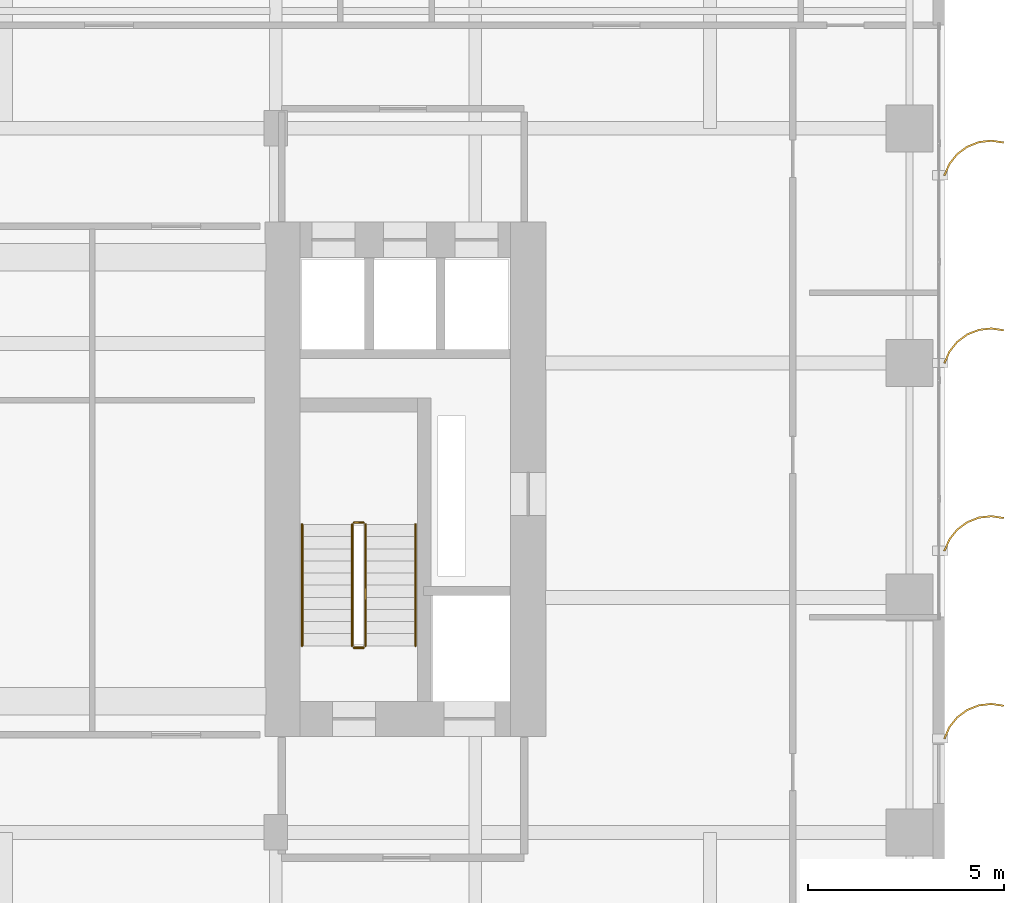
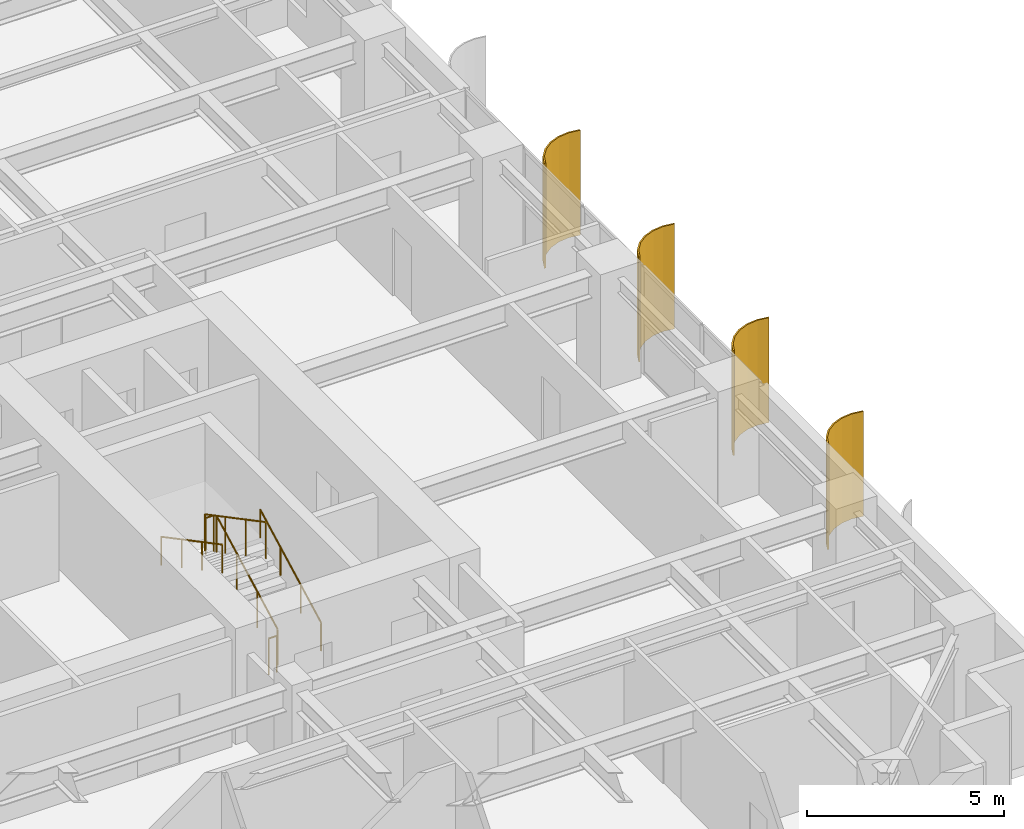
# One storey, part 24 of 25: 6 railings, 4 shading devices.
"""IFC4 building model written with IfcOpenShell, lengths in metres."""

from ifc_helpers import new_model, si_unit, direction, frame, origin, origin_2d, place, context, subcontext, project, spatial, polyline, circle, outline, extrude, source, transform, mapped, material, layer, layer_set, type_object, element, save


model = new_model("IFC4")

# Units and contexts
model_context = context("Model", 3, precision=1e-05, world=origin(), true_north=direction((0.0, 1.0)))
body_context = subcontext(model_context, "Body", "Model", "MODEL_VIEW")
ifc_project = project(units=[si_unit("LENGTHUNIT", "METRE"), si_unit("AREAUNIT", "SQUARE_METRE"), si_unit("VOLUMEUNIT", "CUBIC_METRE"), si_unit("PLANEANGLEUNIT", "RADIAN"), si_unit("MASSUNIT", "GRAM", prefix="KILO")], contexts=[model_context])

# Site, building, storey
site_placement = place(None, origin())
site = spatial("IfcSite", under=ifc_project, at=site_placement, CompositionType="ELEMENT")
building_placement = place(site_placement, origin())
building = spatial("IfcBuilding", under=site, at=building_placement, Name="Khoralis Quay Care Tower", CompositionType="ELEMENT")
storey_placement = place(building_placement, frame((0.0, 0.0, 65.699951171875)))
storey = spatial("IfcBuildingStorey", under=building, at=storey_placement, Name="L17", CompositionType="ELEMENT", Elevation=65.699951171875)

# Railings
ifc_material_1 = material(Name="Brushed stainless steel", Category="steel")
railing_type_1 = type_object("IfcRailingType", Name="RL-GUARD-1150", PredefinedType="GUARDRAIL", material=ifc_material_1)
railing_1_placement = place(storey_placement, frame((33.18994140625, 16.77001953125, 0.16357421875)))
element("IfcRailing", 1, at=railing_1_placement, inside=storey, type_object=railing_type_1, Name="L17 ST-T2 stair guard 1", PredefinedType="GUARDRAIL", context=body_context, shape_type="SweptSolid", body=[
    extrude(circle(Radius=0.02392578125, at=origin_2d()), frame((0.0, 0.0, 1.1259765625), z_axis=(0.0, 0.884348015382, 0.466828220752), x_axis=(-1.0, 0.0, 0.0)), (0.0, 0.0, 1.0), 3.505615234375),
    extrude(circle(Radius=0.02099609375, at=origin_2d()), origin(), (0.0, 0.0, 1.0), 1.101806640625),
    extrude(circle(Radius=0.02099609375, at=origin_2d()), frame((0.0, 1.033447265625, 0.54541015625)), (0.0, 0.0, 1.0), 1.101806640625),
    extrude(circle(Radius=0.02099609375, at=origin_2d()), frame((0.0, 2.066650390625, 1.091064453125)), (0.0, 0.0, 1.0), 1.101806640625),
    extrude(circle(Radius=0.02099609375, at=origin_2d()), frame((0.0, 3.10009765625, 1.636474609375)), (0.0, 0.0, 1.0), 1.101806640625),
])
railing_2_placement = place(storey_placement, frame((33.139892578125, 19.919921875, 1.800048828125)))
element("IfcRailing", 2, at=railing_2_placement, inside=storey, type_object=railing_type_1, Name="L17 ST-T2 stair guard 2", PredefinedType="GUARDRAIL", context=body_context, shape_type="SweptSolid", body=[
    extrude(circle(Radius=0.02392578125, at=origin_2d()), frame((0.0, 0.0, 1.1259765625), z_axis=(-1.0, 0.0, 0.0), x_axis=(0.0, -1.0, 0.0)), (0.0, 0.0, 1.0), 0.239990234375),
    extrude(circle(Radius=0.02099609375, at=origin_2d()), origin(), (0.0, 0.0, 1.0), 1.101806640625),
    extrude(circle(Radius=0.02099609375, at=origin_2d()), frame((-0.239990234375, 0.0, 0.0)), (0.0, 0.0, 1.0), 1.101806640625),
])
railing_3_placement = place(storey_placement, frame((32.85009765625, 19.8701171875, 1.963623046875)))
element("IfcRailing", 3, at=railing_3_placement, inside=storey, type_object=railing_type_1, Name="L17 ST-T2 stair guard 3", PredefinedType="GUARDRAIL", context=body_context, shape_type="SweptSolid", body=[
    extrude(circle(Radius=0.02392578125, at=origin_2d()), frame((0.0, 0.0, 1.1259765625), z_axis=(0.0, -0.884348015382, 0.466828220752), x_axis=(1.0, 0.0, 0.0)), (0.0, 0.0, 1.0), 3.505615234375),
    extrude(circle(Radius=0.02099609375, at=origin_2d()), origin(), (0.0, 0.0, 1.0), 1.101806640625),
    extrude(circle(Radius=0.02099609375, at=origin_2d()), frame((0.0, -1.033447265625, 0.54541015625)), (0.0, 0.0, 1.0), 1.101806640625),
    extrude(circle(Radius=0.02099609375, at=origin_2d()), frame((0.0, -2.066650390625, 1.091064453125)), (0.0, 0.0, 1.0), 1.101806640625),
    extrude(circle(Radius=0.02099609375, at=origin_2d()), frame((0.0, -3.10009765625, 1.636474609375)), (0.0, 0.0, 1.0), 1.101806640625),
])
railing_4_placement = place(storey_placement, frame((33.139892578125, 16.719970703125, 0.0)))
element("IfcRailing", 4, at=railing_4_placement, inside=storey, type_object=railing_type_1, Name="L17 ST-T2 stair guard 4", PredefinedType="GUARDRAIL", context=body_context, shape_type="SweptSolid", body=[
    extrude(circle(Radius=0.02392578125, at=origin_2d()), frame((0.0, 0.0, 1.1259765625), z_axis=(-1.0, 0.0, 0.0), x_axis=(0.0, -1.0, 0.0)), (0.0, 0.0, 1.0), 0.239990234375),
    extrude(circle(Radius=0.02099609375, at=origin_2d()), origin(), (0.0, 0.0, 1.0), 1.101806640625),
    extrude(circle(Radius=0.02099609375, at=origin_2d()), frame((-0.239990234375, 0.0, 0.0)), (0.0, 0.0, 1.0), 1.101806640625),
])
railing_type_2 = type_object("IfcRailingType", Name="RL-HAND-900", PredefinedType="HANDRAIL", material=ifc_material_1)
railing_5_placement = place(storey_placement, frame((34.469970703125, 16.77001953125, 0.16357421875)))
element("IfcRailing", 5, at=railing_5_placement, inside=storey, type_object=railing_type_2, Name="L17 ST-T2 stair handrail 1", PredefinedType="HANDRAIL", context=body_context, shape_type="SweptSolid", body=[
    extrude(circle(Radius=0.02392578125, at=origin_2d()), frame((0.0, 0.0, 0.8759765625), z_axis=(0.0, 0.884348015382, 0.466828220752), x_axis=(-1.0, 0.0, 0.0)), (0.0, 0.0, 1.0), 3.505615234375),
    extrude(circle(Radius=0.02099609375, at=origin_2d()), origin(), (0.0, 0.0, 1.0), 0.851806640625),
    extrude(circle(Radius=0.02099609375, at=origin_2d()), frame((0.0, 1.033447265625, 0.54541015625)), (0.0, 0.0, 1.0), 0.851806640625),
    extrude(circle(Radius=0.02099609375, at=origin_2d()), frame((0.0, 2.066650390625, 1.091064453125)), (0.0, 0.0, 1.0), 0.851806640625),
    extrude(circle(Radius=0.02099609375, at=origin_2d()), frame((0.0, 3.10009765625, 1.636474609375)), (0.0, 0.0, 1.0), 0.851806640625),
])
railing_6_placement = place(storey_placement, frame((31.570068359375, 19.8701171875, 1.963623046875)))
element("IfcRailing", 6, at=railing_6_placement, inside=storey, type_object=railing_type_2, Name="L17 ST-T2 stair handrail 2", PredefinedType="HANDRAIL", context=body_context, shape_type="SweptSolid", body=[
    extrude(circle(Radius=0.02392578125, at=origin_2d()), frame((0.0, 0.0, 0.8759765625), z_axis=(0.0, -0.884348015382, 0.466828220752), x_axis=(1.0, 0.0, 0.0)), (0.0, 0.0, 1.0), 3.505615234375),
    extrude(circle(Radius=0.02099609375, at=origin_2d()), origin(), (0.0, 0.0, 1.0), 0.851806640625),
    extrude(circle(Radius=0.02099609375, at=origin_2d()), frame((0.0, -1.033447265625, 0.54541015625)), (0.0, 0.0, 1.0), 0.851806640625),
    extrude(circle(Radius=0.02099609375, at=origin_2d()), frame((0.0, -2.066650390625, 1.091064453125)), (0.0, 0.0, 1.0), 0.851806640625),
    extrude(circle(Radius=0.02099609375, at=origin_2d()), frame((0.0, -3.10009765625, 1.636474609375)), (0.0, 0.0, 1.0), 0.851806640625),
])

# Shading devices
ifc_material_2 = material(Name="Brushed pale anodised aluminium", Category="aluminium")
ifc_layer = layer(ifc_material_2, 0.044921875)
ifc_layer_set = layer_set([ifc_layer], Name="Brushed pale anodised aluminium")
shading_device_type = type_object("IfcShadingDeviceType", Name="SHD-FIN-1250", PredefinedType="USERDEFINED", material=ifc_layer_set)
shared_shape = source(origin(), body_context, "Body", "SweptSolid", [
    extrude(outline(polyline([(0.0, 0.0), (0.130126953125, 0.29931640625), (0.333251953125, 0.5546875), (0.595458984375, 0.748779296875), (0.899169921875, 0.868408203125), (1.223388671875, 0.9052734375), (1.546142578125, 0.85693359375), (1.53369140625, 0.813720703125), (1.22265625, 0.8603515625), (0.91015625, 0.82470703125), (0.617431640625, 0.70947265625), (0.364501953125, 0.522216796875), (0.168701171875, 0.276123046875), (0.043212890625, -0.012451171875), (0.0, 0.0)])), origin(), (0.0, 0.0, 1.0), 3.260009765625),
])
for number, where, z_axis, x_axis, name in (
    (7, (47.969970703125, 14.39990234375, 0.02001953125), (0.0, 0.0, 1.0), (1.0, 0.0, 0.0), "L17 Curved Solar Fin P1E5-02"),
    (8, (47.969970703125, 19.199951171875, 0.02001953125), (0.0, 0.0, 1.0), (1.0, 0.0, 0.0), "L17 Curved Solar Fin P1E5-03"),
    (9, (47.969970703125, 24.0, 0.02001953125), (0.0, 0.0, 1.0), (1.0, 0.0, 0.0), "L17 Curved Solar Fin P1E5-04"),
    (10, (47.969970703125, 28.800048828125, 0.02001953125), (0.0, 0.0, 1.0), (1.0, 0.0, 0.0), "L17 Curved Solar Fin P1E5-05"),
):
    element("IfcShadingDevice", number, at=place(storey_placement, frame(where, z_axis=z_axis, x_axis=x_axis)), inside=storey, type_object=shading_device_type, Name=name, ObjectType="FIN", PredefinedType="USERDEFINED", context=body_context, shape_type="MappedRepresentation", body=[
        mapped(shared_shape, transform((0.0, 0.0, 0.0), scale=1.0)),
    ])

save(model, "model.ifc")
